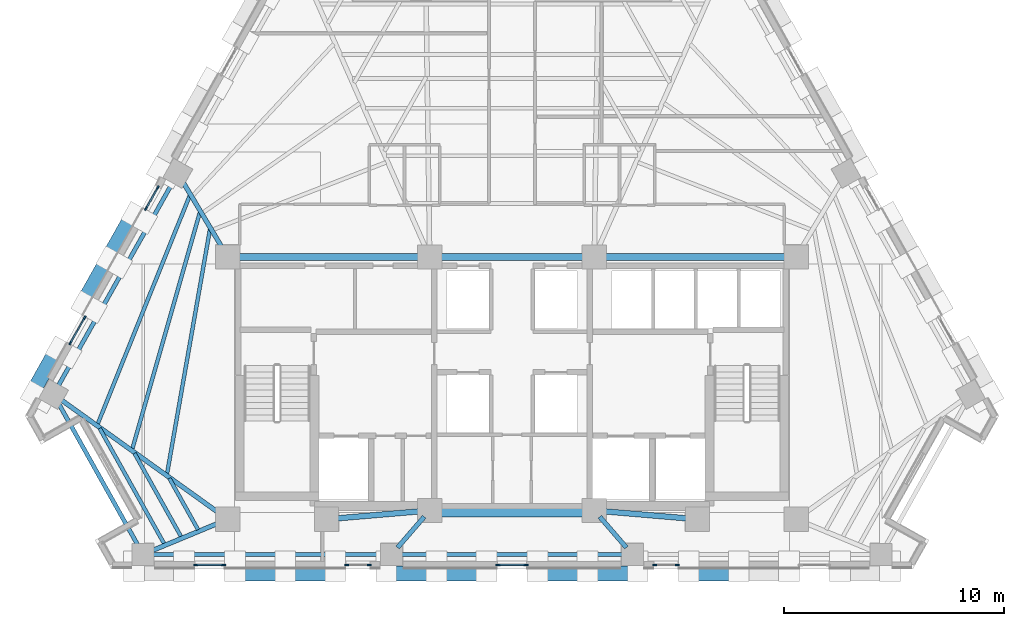
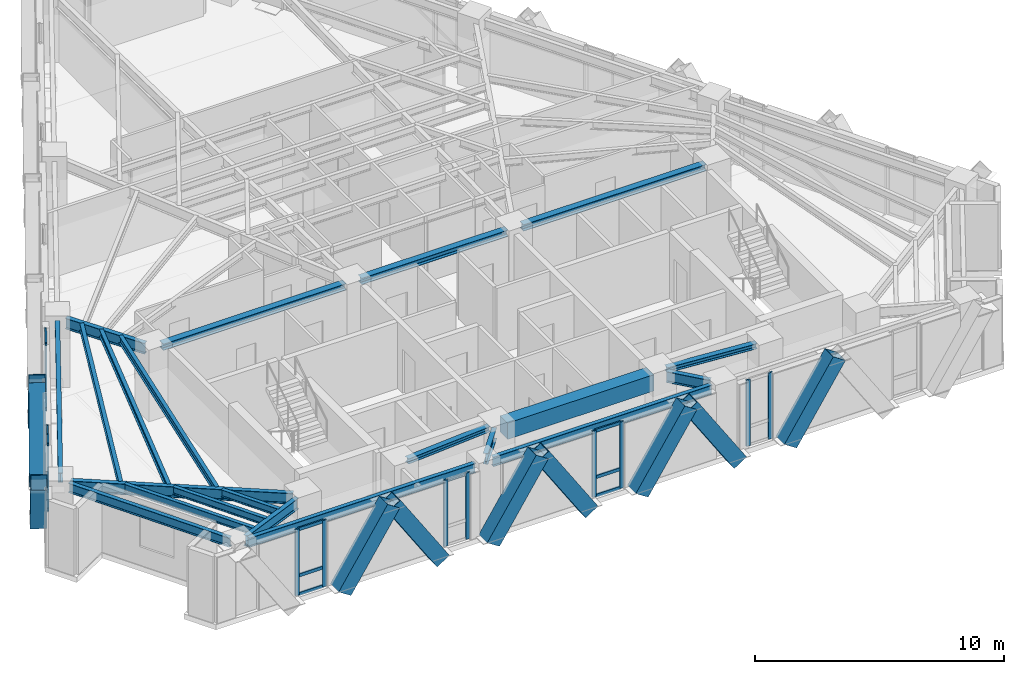
# One storey, part 2 of 14: 34 members, 21 beams, 6 elements without a shape of their own.
"""IFC4 building model written with IfcOpenShell, lengths in metres."""

import ifcopenshell
import ifcopenshell.guid

model = None  # the IFC model being written
_history = None  # IfcOwnerHistory: only IFC2X3 demands one
_inside = {}  # id of a spatial element -> (the spatial element, [elements in it])
_under = {}  # id of a project, library or spatial element -> (it, [spatial elements below it])
_declared = {}  # id of a project -> (the project, [libraries it declares])
_typed = {}  # id of a type object -> (the type object, [elements of that type])
_made_of = {}  # id of a material, layer set ... -> (it, [elements and type objects made of it])


def new_model(schema):
    """Start an empty IFC model of exactly this schema.

    Asked for "IFC4X3", IfcOpenShell would pick the latest addendum, in which some entities
    have other attributes; the version numbers below select the first issue.
    IFC2X3 requires an IfcOwnerHistory on every rooted entity: one is made here for all.
    """
    global model, _history
    if schema == "IFC4X3":
        model = ifcopenshell.file(schema_version=(4, 3, 0, 0))
    else:
        model = ifcopenshell.file(schema=schema)
    _inside.clear()
    _under.clear()
    _declared.clear()
    _typed.clear()
    _made_of.clear()
    _history = None
    if model.schema == "IFC2X3":
        org = make("IfcOrganization", Name="unknown")
        user = make(
            "IfcPersonAndOrganization",
            ThePerson=make("IfcPerson", FamilyName="unknown"),
            TheOrganization=org,
        )
        app = make(
            "IfcApplication",
            ApplicationDeveloper=org,
            Version="unknown",
            ApplicationFullName="unknown",
            ApplicationIdentifier="unknown",
        )
        _history = make(
            "IfcOwnerHistory",
            OwningUser=user,
            OwningApplication=app,
            ChangeAction="ADDED",
            CreationDate=0,
        )
    return model


def make(cls, **values):
    """One entity of the class cls with the attributes given. An attribute that is None is left unset."""
    return model.create_entity(
        cls, **{name: value for name, value in values.items() if value is not None}
    )


def rooted(cls, **values):
    """An entity with a GlobalId (a new one), such as an element, a storey or a relation."""
    return make(cls, GlobalId=ifcopenshell.guid.new(), OwnerHistory=_history, **values)


def si_unit(unit_type, name, prefix=None):
    """IfcSIUnit, for example si_unit("LENGTHUNIT", "METRE", prefix="MILLI")."""
    return make("IfcSIUnit", UnitType=unit_type, Prefix=prefix, Name=name)


def assignment(units):
    """IfcUnitAssignment: the units of a project."""
    return None if units is None else make("IfcUnitAssignment", Units=units)


def point(xyz):
    """IfcCartesianPoint."""
    return None if xyz is None else make("IfcCartesianPoint", Coordinates=xyz)


def direction(xyz):
    """IfcDirection."""
    return None if xyz is None else make("IfcDirection", DirectionRatios=xyz)


def frame(location, z_axis=None, x_axis=None):
    """IfcAxis2Placement3D, a coordinate frame: its origin and axes. An axis left out is left unset."""
    return make(
        "IfcAxis2Placement3D",
        Location=point(location),
        Axis=direction(z_axis),
        RefDirection=direction(x_axis),
    )


def frame_2d(location, x_axis=None):
    """IfcAxis2Placement2D, a coordinate frame in the plane: its origin and x axis."""
    return make(
        "IfcAxis2Placement2D", Location=point(location), RefDirection=direction(x_axis)
    )


def origin():
    """The frame at (0, 0, 0) with its axes left unset."""
    return frame((0.0, 0.0, 0.0))


def origin_2d():
    """The frame at (0, 0) in the plane with its x axis left unset."""
    return frame_2d((0.0, 0.0))


def place(relative_to, where):
    """IfcLocalPlacement: puts the frame where relative to a parent placement (None: the world)."""
    return make(
        "IfcLocalPlacement", PlacementRelTo=relative_to, RelativePlacement=where
    )


def context(
    kind, dimensions, precision=None, world=None, true_north=None, identifier=None
):
    """IfcGeometricRepresentationContext, for example the 3D "Model" context."""
    return make(
        "IfcGeometricRepresentationContext",
        ContextIdentifier=identifier,
        ContextType=kind,
        CoordinateSpaceDimension=dimensions,
        Precision=precision,
        WorldCoordinateSystem=world,
        TrueNorth=true_north,
    )


def subcontext(parent, identifier, kind, view, scale=None):
    """IfcGeometricRepresentationSubContext, for example "Body" below "Model"."""
    return make(
        "IfcGeometricRepresentationSubContext",
        ContextIdentifier=identifier,
        ContextType=kind,
        ParentContext=parent,
        TargetScale=scale,
        TargetView=view,
    )


def project(units=None, contexts=None):
    """IfcProject with its units and contexts."""
    return rooted(
        "IfcProject",
        Name="project",
        RepresentationContexts=contexts,
        UnitsInContext=assignment(units),
    )


def spatial(cls, under=None, at=None, **own):
    """A site, building, storey or space (cls), placed at a placement, below another one or the project."""
    s = rooted(cls, ObjectPlacement=at, **own)
    if under is not None:
        _under.setdefault(under.id(), (under, []))[1].append(s)
    return s


def profile(cls, at=None, kind="AREA", **sizes):
    """A parametric profile (cls). Its sizes go by their IFC names, for example OverallWidth=200.0."""
    return make(cls, ProfileType=kind, Position=at, **sizes)


def rectangle(**sizes):
    """IfcRectangleProfileDef."""
    return profile("IfcRectangleProfileDef", **sizes)


def hollow_rectangle(**sizes):
    """IfcRectangleHollowProfileDef."""
    return profile("IfcRectangleHollowProfileDef", **sizes)


def i_section(**sizes):
    """IfcIShapeProfileDef."""
    return profile("IfcIShapeProfileDef", **sizes)


def extrude(swept, where, along, depth):
    """IfcExtrudedAreaSolid: the profile swept, set in the frame where, extruded along a direction by depth."""
    return make(
        "IfcExtrudedAreaSolid",
        SweptArea=swept,
        Position=where,
        ExtrudedDirection=direction(along),
        Depth=depth,
    )


def shape(context_of_items, identifier, shape_type, items):
    """IfcShapeRepresentation: the items that make up one representation, for example the "Body"."""
    return make(
        "IfcShapeRepresentation",
        ContextOfItems=context_of_items,
        RepresentationIdentifier=identifier,
        RepresentationType=shape_type,
        Items=items,
    )


def material(Name=None, Category=None):
    """IfcMaterial."""
    return make("IfcMaterial", Name=Name, Category=Category)


def material_profile(
    of_material, cross_section, Name=None, Category=None, Priority=None
):
    """IfcMaterialProfile: a cross section and its material."""
    return make(
        "IfcMaterialProfile",
        Name=Name,
        Material=of_material,
        Profile=cross_section,
        Priority=Priority,
        Category=Category,
    )


def profile_set(profiles, Name=None, composite=None):
    """IfcMaterialProfileSet."""
    return make(
        "IfcMaterialProfileSet",
        Name=Name,
        MaterialProfiles=profiles,
        CompositeProfile=composite,
    )


def made_of(thing, what):
    """Note that an element or type object is made of a material, layer set ...; save() writes the relation."""
    if what is not None:
        _made_of.setdefault(what.id(), (what, []))[1].append(thing)
    return thing


def type_object(cls, material=None, **own):
    """A type object (cls), such as IfcWallType, which elements share."""
    return made_of(rooted(cls, **own), material)


def element(
    cls,
    number,
    at=None,
    inside=None,
    cuts=None,
    type_object=None,
    material=None,
    context=None,
    identifier="Body",
    shape_type=None,
    held_by="IfcProductDefinitionShape",
    body=None,
    shapes=None,
    **own,
):
    """One element of the class cls, such as IfcWall. Its Tag is "e" and its number.

    at: its placement. inside: the storey or other place that contains it. cuts: it is an
    opening in that element (IfcRelVoidsElement). A single representation is given by context,
    identifier, shape_type and body (its items); several are given by shapes. held_by: the class
    of the entity that holds the representations. save() writes the other relations.
    """
    e = rooted(cls, Tag="e%d" % number, ObjectPlacement=at, **own)
    if body is not None:
        shapes = [shape(context, identifier, shape_type, body)]
    if shapes is not None:
        e.Representation = make(held_by, Representations=shapes)
    if inside is not None:
        _inside.setdefault(inside.id(), (inside, []))[1].append(e)
    if cuts is not None:
        rooted(
            "IfcRelVoidsElement", RelatingBuildingElement=cuts, RelatedOpeningElement=e
        )
    if type_object is not None:
        _typed.setdefault(type_object.id(), (type_object, []))[1].append(e)
    return made_of(e, material)


def aggregate(whole, parts):
    """IfcRelAggregates: a whole, such as a stair, and the parts it consists of."""
    return rooted("IfcRelAggregates", RelatingObject=whole, RelatedObjects=parts)


def save(model, path):
    """Write the relations noted so far, then the file.

    IfcRelAggregates (storeys below a building ...), IfcRelContainedInSpatialStructure (elements
    in a storey), IfcRelDefinesByType, IfcRelAssociatesMaterial and IfcRelDeclares: one each for
    every whole, place, type object, material and project.
    """
    for whole, parts in _under.values():
        aggregate(whole, parts)
    for where, things in _inside.values():
        rooted(
            "IfcRelContainedInSpatialStructure",
            RelatedElements=things,
            RelatingStructure=where,
        )
    for kind, things in _typed.values():
        rooted("IfcRelDefinesByType", RelatedObjects=things, RelatingType=kind)
    for what, things in _made_of.values():
        rooted("IfcRelAssociatesMaterial", RelatedObjects=things, RelatingMaterial=what)
    for by, libraries in _declared.values():
        rooted("IfcRelDeclares", RelatingContext=by, RelatedDefinitions=libraries)
    model.write(path)


model = new_model("IFC4")

# Units and contexts
model_context = context("Model", 3, precision=1e-05, world=origin(), true_north=direction((0.0, 1.0)))
body_context = subcontext(model_context, "Body", "Model", "MODEL_VIEW")
ifc_project = project(units=[si_unit("LENGTHUNIT", "METRE"), si_unit("AREAUNIT", "SQUARE_METRE"), si_unit("VOLUMEUNIT", "CUBIC_METRE"), si_unit("PLANEANGLEUNIT", "RADIAN"), si_unit("MASSUNIT", "GRAM", prefix="KILO")], contexts=[model_context])

# Site, building, storey
site_placement = place(None, origin())
site = spatial("IfcSite", under=ifc_project, at=site_placement, CompositionType="ELEMENT")
building_placement = place(site_placement, origin())
building = spatial("IfcBuilding", under=site, at=building_placement, Name="Quenlor Broadcast Tower", CompositionType="ELEMENT")
storey_placement = place(building_placement, frame((0.0, 0.0, 168.5)))
storey = spatial("IfcBuildingStorey", under=building, at=storey_placement, Name="L46", CompositionType="ELEMENT", Elevation=168.5)

# Curtain wall, members
ifc_material_1 = material(Name="Architectural Terracotta and Low-E Glazing", Category="masonry")
curtain_wall_type = type_object("IfcCurtainWallType", Name="Unitised Terracotta Curtain Wall System Z3", PredefinedType="NOTDEFINED", material=ifc_material_1)
curtain_wall_1_placement = place(storey_placement, origin())
curtain_wall_1 = element("IfcCurtainWall", 1, at=curtain_wall_1_placement, inside=storey, type_object=curtain_wall_type, Name="L46 Curtain Wall CW3 (L46-SA-G2)", PredefinedType="NOTDEFINED")
ifc_material_2 = material(Name="Aluminium 6063-T6", Category="aluminium")
ifc_material_profile_1 = material_profile(ifc_material_2, rectangle(XDim=0.070068359375, YDim=0.18994140625, at=origin_2d()))
ifc_profile_set_1 = profile_set([ifc_material_profile_1], Name="Aluminium 6063-T6 MULL70x190")
member_type_1 = type_object("IfcMemberType", Name="CW3 Aluminium Mullion MULL_CW3", PredefinedType="MULLION", material=ifc_profile_set_1)
member_1_placement = place(storey_placement, frame((7.52197265625, -18.824951171875, 0.0), z_axis=(0.0, 0.0, 1.0), x_axis=(0.0, -1.0, 0.0)))
member_1 = element("IfcMember", 2, at=member_1_placement, type_object=member_type_1, Name="CW3 mullion 1", PredefinedType="MULLION", context=body_context, shape_type="SweptSolid", body=[
    extrude(rectangle(XDim=0.070068359375, YDim=0.18994140625, at=origin_2d()), origin(), (0.0, 0.0, 1.0), 3.25),
])
member_2_placement = place(storey_placement, frame((6.5009765625, -18.824951171875, 0.0), z_axis=(0.0, 0.0, 1.0), x_axis=(0.0, -1.0, 0.0)))
member_2 = element("IfcMember", 3, at=member_2_placement, type_object=member_type_1, Name="CW3 mullion 2", PredefinedType="MULLION", context=body_context, shape_type="SweptSolid", body=[
    extrude(rectangle(XDim=0.070068359375, YDim=0.18994140625, at=origin_2d()), origin(), (0.0, 0.0, 1.0), 3.25),
])
aggregate(curtain_wall_1, [member_1, member_2])

curtain_wall_2_placement = place(storey_placement, origin())
curtain_wall_2 = element("IfcCurtainWall", 4, at=curtain_wall_2_placement, inside=storey, type_object=curtain_wall_type, Name="L46 Curtain Wall CW3 (L46-SC-G1)", PredefinedType="NOTDEFINED")
member_3_placement = place(storey_placement, frame((-6.5009765625, -18.824951171875, 0.0), z_axis=(0.0, 0.0, 1.0), x_axis=(0.0, -1.0, 0.0)))
member_3 = element("IfcMember", 5, at=member_3_placement, type_object=member_type_1, Name="CW3 mullion 1", PredefinedType="MULLION", context=body_context, shape_type="SweptSolid", body=[
    extrude(rectangle(XDim=0.070068359375, YDim=0.18994140625, at=origin_2d()), origin(), (0.0, 0.0, 1.0), 3.25),
])
member_4_placement = place(storey_placement, frame((-7.52197265625, -18.824951171875, 0.0), z_axis=(0.0, 0.0, 1.0), x_axis=(0.0, -1.0, 0.0)))
member_4 = element("IfcMember", 6, at=member_4_placement, type_object=member_type_1, Name="CW3 mullion 2", PredefinedType="MULLION", context=body_context, shape_type="SweptSolid", body=[
    extrude(rectangle(XDim=0.070068359375, YDim=0.18994140625, at=origin_2d()), origin(), (0.0, 0.0, 1.0), 3.25),
])
aggregate(curtain_wall_2, [member_3, member_4])

curtain_wall_3_placement = place(storey_placement, origin())
curtain_wall_3 = element("IfcCurtainWall", 7, at=curtain_wall_3_placement, inside=storey, type_object=curtain_wall_type, Name="L46 Curtain Wall CW3 (L46-SC-G2)", PredefinedType="NOTDEFINED")
member_5_placement = place(storey_placement, frame((-13.14208984375, -18.824951171875, 0.0), z_axis=(0.0, 0.0, 1.0), x_axis=(0.0, -1.0, 0.0)))
member_5 = element("IfcMember", 8, at=member_5_placement, type_object=member_type_1, Name="CW3 mullion 1", PredefinedType="MULLION", context=body_context, shape_type="SweptSolid", body=[
    extrude(rectangle(XDim=0.070068359375, YDim=0.18994140625, at=origin_2d()), origin(), (0.0, 0.0, 1.0), 3.25),
])
member_6_placement = place(storey_placement, frame((-14.409912109375, -18.824951171875, 0.0), z_axis=(0.0, 0.0, 1.0), x_axis=(0.0, -1.0, 0.0)))
member_6 = element("IfcMember", 9, at=member_6_placement, type_object=member_type_1, Name="CW3 mullion 2", PredefinedType="MULLION", context=body_context, shape_type="SweptSolid", body=[
    extrude(rectangle(XDim=0.070068359375, YDim=0.18994140625, at=origin_2d()), origin(), (0.0, 0.0, 1.0), 3.25),
])

curtain_wall_4_placement = place(storey_placement, origin())
curtain_wall_4 = element("IfcCurtainWall", 10, at=curtain_wall_4_placement, inside=storey, type_object=curtain_wall_type, Name="L46 Curtain Wall CW3 (L46-S-G1)", PredefinedType="NOTDEFINED")
member_7_placement = place(storey_placement, frame((0.634033203125, -18.824951171875, 0.0), z_axis=(0.0, 0.0, 1.0), x_axis=(0.0, -1.0, 0.0)))
member_7 = element("IfcMember", 11, at=member_7_placement, type_object=member_type_1, Name="CW3 mullion 1", PredefinedType="MULLION", context=body_context, shape_type="SweptSolid", body=[
    extrude(rectangle(XDim=0.070068359375, YDim=0.18994140625, at=origin_2d()), origin(), (0.0, 0.0, 1.0), 3.25),
])
member_8_placement = place(storey_placement, frame((-0.634033203125, -18.824951171875, 0.0), z_axis=(0.0, 0.0, 1.0), x_axis=(0.0, -1.0, 0.0)))
member_8 = element("IfcMember", 12, at=member_8_placement, type_object=member_type_1, Name="CW3 mullion 2", PredefinedType="MULLION", context=body_context, shape_type="SweptSolid", body=[
    extrude(rectangle(XDim=0.070068359375, YDim=0.18994140625, at=origin_2d()), origin(), (0.0, 0.0, 1.0), 3.25),
])

curtain_wall_5_placement = place(storey_placement, origin())
curtain_wall_5 = element("IfcCurtainWall", 13, at=curtain_wall_5_placement, inside=storey, type_object=curtain_wall_type, Name="L46 Curtain Wall CW3 (L46-NWA-G1)", PredefinedType="NOTDEFINED")
member_9_placement = place(storey_placement, frame((-20.1171875, -8.720703125, 0.0), z_axis=(0.0, 0.0, 1.0), x_axis=(-0.871575537123, 0.490261239636, 0.0)))
member_9 = element("IfcMember", 14, at=member_9_placement, type_object=member_type_1, Name="CW3 mullion 1", PredefinedType="MULLION", context=body_context, shape_type="SweptSolid", body=[
    extrude(rectangle(XDim=0.070068359375, YDim=0.18994140625, at=origin_2d()), origin(), (0.0, 0.0, 1.0), 3.25),
])
member_10_placement = place(storey_placement, frame((-19.47021484375, -7.570556640625, 0.0), z_axis=(0.0, 0.0, 1.0), x_axis=(-0.871575537123, 0.490261239636, 0.0)))
member_10 = element("IfcMember", 15, at=member_10_placement, type_object=member_type_1, Name="CW3 mullion 2", PredefinedType="MULLION", context=body_context, shape_type="SweptSolid", body=[
    extrude(rectangle(XDim=0.070068359375, YDim=0.18994140625, at=origin_2d()), origin(), (0.0, 0.0, 1.0), 3.25),
])

curtain_wall_6_placement = place(storey_placement, origin())
curtain_wall_6 = element("IfcCurtainWall", 16, at=curtain_wall_6_placement, inside=storey, type_object=curtain_wall_type, Name="L46 Curtain Wall CW3 (L46-NWA-G2)", PredefinedType="NOTDEFINED")
member_11_placement = place(storey_placement, frame((-16.6689453125, -2.5908203125, 0.0), z_axis=(0.0, 0.0, 1.0), x_axis=(-0.871580169247, 0.490253004657, 0.0)))
member_11 = element("IfcMember", 17, at=member_11_placement, type_object=member_type_1, Name="CW3 mullion 1", PredefinedType="MULLION", context=body_context, shape_type="SweptSolid", body=[
    extrude(rectangle(XDim=0.070068359375, YDim=0.18994140625, at=origin_2d()), origin(), (0.0, 0.0, 1.0), 3.25),
])
member_12_placement = place(storey_placement, frame((-16.137939453125, -1.646728515625, 0.0), z_axis=(0.0, 0.0, 1.0), x_axis=(-0.871580169247, 0.490253004657, 0.0)))
member_12 = element("IfcMember", 18, at=member_12_placement, type_object=member_type_1, Name="CW3 mullion 2", PredefinedType="MULLION", context=body_context, shape_type="SweptSolid", body=[
    extrude(rectangle(XDim=0.070068359375, YDim=0.18994140625, at=origin_2d()), origin(), (0.0, 0.0, 1.0), 3.25),
])

# Member
ifc_material_3 = material(Name="Aluminium 6063-T6", Category="aluminium")
ifc_material_profile_2 = material_profile(ifc_material_3, rectangle(XDim=0.070068359375, YDim=0.155029296875, at=origin_2d()))
ifc_profile_set_2 = profile_set([ifc_material_profile_2], Name="Aluminium 6063-T6 TRAN70x155")
member_type_2 = type_object("IfcMemberType", Name="CW3 Aluminium Transom TRAN_CW3", PredefinedType="USERDEFINED", material=ifc_profile_set_2)
member_13_placement = place(storey_placement, frame((-13.177001953125, -18.824951171875, 0.034912109375), z_axis=(-1.0, 0.0, 0.0), x_axis=(0.0, -1.0, 0.0)))
member_13 = element("IfcMember", 19, at=member_13_placement, type_object=member_type_2, Name="CW3 transom 1.1", ObjectType="TRANSOM", PredefinedType="USERDEFINED", context=body_context, shape_type="SweptSolid", body=[
    extrude(rectangle(XDim=0.070068359375, YDim=0.155029296875, at=origin_2d()), origin(), (0.0, 0.0, 1.0), 1.197998046875),
])

member_14_placement = place(storey_placement, frame((-13.177001953125, -18.824951171875, 0.949951171875), z_axis=(-1.0, 0.0, 0.0), x_axis=(0.0, -1.0, 0.0)))
member_14 = element("IfcMember", 20, at=member_14_placement, type_object=member_type_2, Name="CW3 transom 1.2", ObjectType="TRANSOM", PredefinedType="USERDEFINED", context=body_context, shape_type="SweptSolid", body=[
    extrude(rectangle(XDim=0.070068359375, YDim=0.155029296875, at=origin_2d()), origin(), (0.0, 0.0, 1.0), 1.197998046875),
])

member_15_placement = place(storey_placement, frame((-13.177001953125, -18.824951171875, 3.215087890625), z_axis=(-1.0, 0.0, 0.0), x_axis=(0.0, -1.0, 0.0)))
member_15 = element("IfcMember", 21, at=member_15_placement, type_object=member_type_2, Name="CW3 transom 1.3", ObjectType="TRANSOM", PredefinedType="USERDEFINED", context=body_context, shape_type="SweptSolid", body=[
    extrude(rectangle(XDim=0.070068359375, YDim=0.155029296875, at=origin_2d()), origin(), (0.0, 0.0, 1.0), 1.197998046875),
])

aggregate(curtain_wall_3, [member_5, member_6, member_13, member_14, member_15])

member_16_placement = place(storey_placement, frame((0.59912109375, -18.824951171875, 0.034912109375), z_axis=(-1.0, 0.0, 0.0), x_axis=(0.0, -1.0, 0.0)))
member_16 = element("IfcMember", 22, at=member_16_placement, type_object=member_type_2, Name="CW3 transom 1.1", ObjectType="TRANSOM", PredefinedType="USERDEFINED", context=body_context, shape_type="SweptSolid", body=[
    extrude(rectangle(XDim=0.070068359375, YDim=0.155029296875, at=origin_2d()), origin(), (0.0, 0.0, 1.0), 1.1982421875),
])

member_17_placement = place(storey_placement, frame((0.59912109375, -18.824951171875, 0.949951171875), z_axis=(-1.0, 0.0, 0.0), x_axis=(0.0, -1.0, 0.0)))
member_17 = element("IfcMember", 23, at=member_17_placement, type_object=member_type_2, Name="CW3 transom 1.2", ObjectType="TRANSOM", PredefinedType="USERDEFINED", context=body_context, shape_type="SweptSolid", body=[
    extrude(rectangle(XDim=0.070068359375, YDim=0.155029296875, at=origin_2d()), origin(), (0.0, 0.0, 1.0), 1.1982421875),
])

member_18_placement = place(storey_placement, frame((0.59912109375, -18.824951171875, 3.215087890625), z_axis=(-1.0, 0.0, 0.0), x_axis=(0.0, -1.0, 0.0)))
member_18 = element("IfcMember", 24, at=member_18_placement, type_object=member_type_2, Name="CW3 transom 1.3", ObjectType="TRANSOM", PredefinedType="USERDEFINED", context=body_context, shape_type="SweptSolid", body=[
    extrude(rectangle(XDim=0.070068359375, YDim=0.155029296875, at=origin_2d()), origin(), (0.0, 0.0, 1.0), 1.1982421875),
])

aggregate(curtain_wall_4, [member_7, member_8, member_16, member_17, member_18])

member_19_placement = place(storey_placement, frame((-20.10009765625, -8.690185546875, 0.034912109375), z_axis=(0.490363266059, 0.871518139398, 0.0), x_axis=(-0.871518139398, 0.490363266059, 0.0)))
member_19 = element("IfcMember", 25, at=member_19_placement, type_object=member_type_2, Name="CW3 transom 1.1", ObjectType="TRANSOM", PredefinedType="USERDEFINED", context=body_context, shape_type="SweptSolid", body=[
    extrude(rectangle(XDim=0.070068359375, YDim=0.155029296875, at=origin_2d()), origin(), (0.0, 0.0, 1.0), 1.249755859375),
])

member_20_placement = place(storey_placement, frame((-20.10009765625, -8.690185546875, 0.949951171875), z_axis=(0.490363266059, 0.871518139398, 0.0), x_axis=(-0.871518139398, 0.490363266059, 0.0)))
member_20 = element("IfcMember", 26, at=member_20_placement, type_object=member_type_2, Name="CW3 transom 1.2", ObjectType="TRANSOM", PredefinedType="USERDEFINED", context=body_context, shape_type="SweptSolid", body=[
    extrude(rectangle(XDim=0.070068359375, YDim=0.155029296875, at=origin_2d()), origin(), (0.0, 0.0, 1.0), 1.249755859375),
])

member_21_placement = place(storey_placement, frame((-20.10009765625, -8.690185546875, 3.215087890625), z_axis=(0.490363266059, 0.871518139398, 0.0), x_axis=(-0.871518139398, 0.490363266059, 0.0)))
member_21 = element("IfcMember", 27, at=member_21_placement, type_object=member_type_2, Name="CW3 transom 1.3", ObjectType="TRANSOM", PredefinedType="USERDEFINED", context=body_context, shape_type="SweptSolid", body=[
    extrude(rectangle(XDim=0.070068359375, YDim=0.155029296875, at=origin_2d()), origin(), (0.0, 0.0, 1.0), 1.249755859375),
])

aggregate(curtain_wall_5, [member_9, member_10, member_19, member_20, member_21])

member_22_placement = place(storey_placement, frame((-16.65185546875, -2.560302734375, 0.034912109375), z_axis=(0.49015826449, 0.871633452635, 0.0), x_axis=(-0.871633452635, 0.49015826449, 0.0)))
member_22 = element("IfcMember", 28, at=member_22_placement, type_object=member_type_2, Name="CW3 transom 1.1", ObjectType="TRANSOM", PredefinedType="USERDEFINED", context=body_context, shape_type="SweptSolid", body=[
    extrude(rectangle(XDim=0.070068359375, YDim=0.155029296875, at=origin_2d()), origin(), (0.0, 0.0, 1.0), 1.01318359375),
])

member_23_placement = place(storey_placement, frame((-16.65185546875, -2.560302734375, 0.949951171875), z_axis=(0.49015826449, 0.871633452635, 0.0), x_axis=(-0.871633452635, 0.49015826449, 0.0)))
member_23 = element("IfcMember", 29, at=member_23_placement, type_object=member_type_2, Name="CW3 transom 1.2", ObjectType="TRANSOM", PredefinedType="USERDEFINED", context=body_context, shape_type="SweptSolid", body=[
    extrude(rectangle(XDim=0.070068359375, YDim=0.155029296875, at=origin_2d()), origin(), (0.0, 0.0, 1.0), 1.01318359375),
])

member_24_placement = place(storey_placement, frame((-16.65185546875, -2.560302734375, 3.215087890625), z_axis=(0.49015826449, 0.871633452635, 0.0), x_axis=(-0.871633452635, 0.49015826449, 0.0)))
member_24 = element("IfcMember", 30, at=member_24_placement, type_object=member_type_2, Name="CW3 transom 1.3", ObjectType="TRANSOM", PredefinedType="USERDEFINED", context=body_context, shape_type="SweptSolid", body=[
    extrude(rectangle(XDim=0.070068359375, YDim=0.155029296875, at=origin_2d()), origin(), (0.0, 0.0, 1.0), 1.01318359375),
])

aggregate(curtain_wall_6, [member_11, member_12, member_22, member_23, member_24])

# Beams
ifc_material_4 = material(Name="Concrete C50/60", Category="concrete")
ifc_material_profile_3 = material_profile(ifc_material_4, rectangle(XDim=0.60009765625, YDim=0.800048828125, at=origin_2d()))
ifc_profile_set_3 = profile_set([ifc_material_profile_3], Name="Concrete C50/60 RCB600x800")
beam_type_1 = type_object("IfcBeamType", Name="Core Coupling Beam Concrete C50/60 600x800", PredefinedType="BEAM", material=ifc_profile_set_3)
beam_1_placement = place(storey_placement, frame((-3.389892578125, -16.35009765625, 2.85009765625), z_axis=(1.0, 0.0, 0.0), x_axis=(0.0, 1.0, 0.0)))
element("IfcBeam", 31, at=beam_1_placement, inside=storey, type_object=beam_type_1, Name="L46 Core Coupling Beam 6", PredefinedType="BEAM", context=body_context, shape_type="SweptSolid", body=[
    extrude(rectangle(XDim=0.60009765625, YDim=0.800048828125, at=origin_2d()), origin(), (0.0, 0.0, 1.0), 6.77978515625),
])
ifc_material_5 = material(Name="Steel S355", Category="steel")
ifc_material_profile_4 = material_profile(ifc_material_5, i_section(OverallWidth=0.304931640625, OverallDepth=0.30810546875, WebThickness=0.010009765625, FlangeThickness=0.015380859375, FilletRadius=0.0166015625, at=origin_2d()))
ifc_profile_set_4 = profile_set([ifc_material_profile_4], Name="Steel S355 310UC96.8")
beam_type_2 = type_object("IfcBeamType", Name="Core Header Beam Steel S355 310UC96.8", PredefinedType="BEAM", material=ifc_profile_set_4)
beam_2_placement = place(storey_placement, frame((-3.389892578125, -4.800048828125, 3.095947265625), z_axis=(1.0, 0.0, 0.0), x_axis=(0.0, 1.0, 0.0)))
element("IfcBeam", 32, at=beam_2_placement, inside=storey, type_object=beam_type_2, Name="L46 Core Header Beam 2", PredefinedType="BEAM", context=body_context, shape_type="SweptSolid", body=[
    extrude(i_section(OverallWidth=0.304931640625, OverallDepth=0.30810546875, WebThickness=0.010009765625, FlangeThickness=0.015380859375, FilletRadius=0.0166015625, at=origin_2d()), origin(), (0.0, 0.0, 1.0), 6.77978515625),
])
ifc_material_6 = material(Name="Steel S355", Category="steel")
ifc_material_profile_5 = material_profile(ifc_material_6, i_section(OverallWidth=0.25390625, OverallDepth=0.25390625, WebThickness=0.008544921875, FlangeThickness=0.01416015625, FilletRadius=0.013916015625, at=origin_2d()))
ifc_profile_set_5 = profile_set([ifc_material_profile_5], Name="Steel S355 250UC72.9")
beam_type_3 = type_object("IfcBeamType", Name="Core Opening Lintel Beam Steel S355 250UC72.9", PredefinedType="LINTEL", material=ifc_profile_set_5)
for number, where, z_axis, x_axis, name in (
    (33, (-8.09130859375, -16.719482421875, 3.123046875), (0.996399763903, 0.084779186679, 0.0), (-0.084779186679, 0.996399763903, 0.0), "L46 Core Opening Lintel Beam 4"),
    (34, (4.108642578125, -16.380615234375, 3.123046875), (0.996399763903, -0.084779186679, 0.0), (0.084779186679, 0.996399763903, 0.0), "L46 Core Opening Lintel Beam 5"),
):
    element("IfcBeam", number, at=place(storey_placement, frame(where, z_axis=z_axis, x_axis=x_axis)), inside=storey, type_object=beam_type_3, Name=name, PredefinedType="LINTEL", context=body_context, shape_type="SweptSolid", body=[
        extrude(i_section(OverallWidth=0.25390625, OverallDepth=0.25390625, WebThickness=0.008544921875, FlangeThickness=0.01416015625, FilletRadius=0.013916015625, at=origin_2d()), origin(), (0.0, 0.0, 1.0), 3.9970703125),
    ])
ifc_material_7 = material(Name="Steel S355", Category="steel")
ifc_material_profile_6 = material_profile(ifc_material_7, i_section(OverallWidth=0.306884765625, OverallDepth=0.314697265625, WebThickness=0.011962890625, FlangeThickness=0.018798828125, FilletRadius=0.0166015625, at=origin_2d()))
ifc_profile_set_6 = profile_set([ifc_material_profile_6], Name="Steel S355 310UC118")
beam_type_4 = type_object("IfcBeamType", Name="Core Tie Beam Steel S355 310UC118", PredefinedType="BEAM", material=ifc_profile_set_6)
for number, where, z_axis, x_axis, name in (
    (35, (-12.590087890625, -4.800048828125, 3.0927734375), (1.0, 0.0, 0.0), (0.0, 1.0, 0.0), "L46 Core Tie Beam 1"),
    (36, (4.110107421875, -4.800048828125, 3.0927734375), (1.0, 0.0, 0.0), (0.0, 1.0, 0.0), "L46 Core Tie Beam 3"),
):
    element("IfcBeam", number, at=place(storey_placement, frame(where, z_axis=z_axis, x_axis=x_axis)), inside=storey, type_object=beam_type_4, Name=name, PredefinedType="BEAM", context=body_context, shape_type="SweptSolid", body=[
        extrude(i_section(OverallWidth=0.306884765625, OverallDepth=0.314697265625, WebThickness=0.011962890625, FlangeThickness=0.018798828125, FilletRadius=0.0166015625, at=origin_2d()), origin(), (0.0, 0.0, 1.0), 8.47998046875),
    ])

# Members
ifc_material_8 = material(Name="Steel S355", Category="steel")
ifc_material_profile_7 = material_profile(ifc_material_8, hollow_rectangle(XDim=0.679931640625, YDim=0.679931640625, WallThickness=0.02490234375, at=origin_2d()))
ifc_profile_set_7 = profile_set([ifc_material_profile_7], Name="Steel S355 RHS680x680x25")
member_type_3 = type_object("IfcMemberType", Name="Perimeter Diagonal Lattice Brace Z3-Z4 Steel S355 RHS680x25", PredefinedType="BRACE", material=ifc_profile_set_7)
member_25_placement = place(storey_placement, frame((5.726318359375, -19.219970703125, -0.1201171875), z_axis=(-0.543901560697, 0.0, 0.839149028643), x_axis=(0.0, -1.0, 0.0)))
element("IfcMember", 37, at=member_25_placement, inside=storey, type_object=member_type_3, Name="L46 Perimeter Diamond Lattice S-C2S", PredefinedType="BRACE", context=body_context, shape_type="SweptSolid", body=[
    extrude(hollow_rectangle(XDim=0.679931640625, YDim=0.679931640625, WallThickness=0.02490234375, at=origin_2d()), origin(), (0.0, 0.0, 1.0), 4.1708984375),
])
for number, where, z_axis, x_axis, name in (
    (38, (8.0498046875, -19.219970703125, -0.1201171875), (0.543860340502, 0.0, 0.839175744424), (0.0, 1.0, 0.0), "L46 Perimeter Diamond Lattice S-C2B"),
    (39, (-1.161865234375, -19.219970703125, -0.1201171875), (-0.543860340502, 0.0, 0.839175744424), (0.0, -1.0, 0.0), "L46 Perimeter Diamond Lattice S-C3S"),
    (40, (1.161865234375, -19.219970703125, -0.1201171875), (0.543860340502, 0.0, 0.839175744424), (0.0, 1.0, 0.0), "L46 Perimeter Diamond Lattice S-C3B"),
    (41, (-8.0498046875, -19.219970703125, -0.1201171875), (-0.543860340502, 0.0, 0.839175744424), (0.0, -1.0, 0.0), "L46 Perimeter Diamond Lattice S-C4S"),
):
    element("IfcMember", number, at=place(storey_placement, frame(where, z_axis=z_axis, x_axis=x_axis)), inside=storey, type_object=member_type_3, Name=name, PredefinedType="BRACE", context=body_context, shape_type="SweptSolid", body=[
        extrude(hollow_rectangle(XDim=0.679931640625, YDim=0.679931640625, WallThickness=0.02490234375, at=origin_2d()), origin(), (0.0, 0.0, 1.0), 4.170654296875),
    ])
for number, where, z_axis, x_axis, name in (
    (42, (-5.726318359375, -19.219970703125, -0.1201171875), (0.543901560697, 0.0, 0.839149028643), (0.0, 1.0, 0.0), "L46 Perimeter Diamond Lattice S-C4B"),
    (43, (-12.6142578125, -19.219970703125, -0.1201171875), (0.543901560697, 0.0, 0.839149028643), (0.0, 1.0, 0.0), "L46 Perimeter Diamond Lattice S-C5B"),
):
    element("IfcMember", number, at=place(storey_placement, frame(where, z_axis=z_axis, x_axis=x_axis)), inside=storey, type_object=member_type_3, Name=name, PredefinedType="BRACE", context=body_context, shape_type="SweptSolid", body=[
        extrude(hollow_rectangle(XDim=0.679931640625, YDim=0.679931640625, WallThickness=0.02490234375, at=origin_2d()), origin(), (0.0, 0.0, 1.0), 4.1708984375),
    ])
for number, where, z_axis, x_axis, name in (
    (44, (-19.556396484375, -6.918212890625, -0.1201171875), (0.2705491942, 0.481008661973, 0.833926735766), (-0.871589611547, 0.490236217596, 0.0), "L46 Perimeter Diamond Lattice NW-C1S"),
    (45, (-20.719482421875, -8.98583984375, -0.1201171875), (-0.2705491942, -0.481008661973, 0.833926735766), (0.871589611547, -0.490236217596, 0.0), "L46 Perimeter Diamond Lattice NW-C1B"),
    (46, (-17.271484375, -2.85595703125, -0.1201171875), (-0.2705491942, -0.481008661973, 0.833926735766), (0.871589611547, -0.490236217596, 0.0), "L46 Perimeter Diamond Lattice NW-C2B"),
):
    element("IfcMember", number, at=place(storey_placement, frame(where, z_axis=z_axis, x_axis=x_axis)), inside=storey, type_object=member_type_3, Name=name, PredefinedType="BRACE", context=body_context, shape_type="SweptSolid", body=[
        extrude(hollow_rectangle(XDim=0.679931640625, YDim=0.679931640625, WallThickness=0.02490234375, at=origin_2d()), origin(), (0.0, 0.0, 1.0), 4.197021484375),
    ])

# Beams
ifc_material_9 = material(Name="Steel S355", Category="steel")
ifc_material_profile_8 = material_profile(ifc_material_9, i_section(OverallWidth=0.19091796875, OverallDepth=0.46044921875, WebThickness=0.010009765625, FlangeThickness=0.01611328125, FilletRadius=0.011474609375, at=origin_2d()))
ifc_profile_set_8 = profile_set([ifc_material_profile_8], Name="Steel S355 460UB82.1")
beam_type_5 = type_object("IfcBeamType", Name="Perimeter Spandrel Beam Z3 Steel S355 460UB82.1", PredefinedType="SPANDREL", material=ifc_profile_set_8)
beam_3_placement = place(storey_placement, frame((-16.3984375, -18.35009765625, 3.019775390625), z_axis=(1.0, 0.0, 0.0), x_axis=(0.0, 1.0, 0.0)))
element("IfcBeam", 47, at=beam_3_placement, inside=storey, type_object=beam_type_5, Name="L46 Spandrel Beam S1-S2", PredefinedType="SPANDREL", context=body_context, shape_type="SweptSolid", body=[
    extrude(i_section(OverallWidth=0.19091796875, OverallDepth=0.46044921875, WebThickness=0.010009765625, FlangeThickness=0.01611328125, FilletRadius=0.011474609375, at=origin_2d()), origin(), (0.0, 0.0, 1.0), 10.50732421875),
])
beam_4_placement = place(storey_placement, frame((-5.071044921875, -18.35009765625, 3.019775390625), z_axis=(1.0, 0.0, 0.0), x_axis=(0.0, 1.0, 0.0)))
element("IfcBeam", 48, at=beam_4_placement, inside=storey, type_object=beam_type_5, Name="L46 Spandrel Beam S2-S3", PredefinedType="SPANDREL", context=body_context, shape_type="SweptSolid", body=[
    extrude(i_section(OverallWidth=0.19091796875, OverallDepth=0.46044921875, WebThickness=0.010009765625, FlangeThickness=0.01611328125, FilletRadius=0.011474609375, at=origin_2d()), origin(), (0.0, 0.0, 1.0), 10.14208984375),
])
beam_5_placement = place(storey_placement, frame((-15.425048828125, -1.347900390625, 3.019775390625), z_axis=(-0.490257999604, -0.871577359633, 0.0), x_axis=(0.871577359633, -0.490257999604, 0.0)))
element("IfcBeam", 49, at=beam_5_placement, inside=storey, type_object=beam_type_5, Name="L46 Spandrel Beam NW3-NW4", PredefinedType="SPANDREL", context=body_context, shape_type="SweptSolid", body=[
    extrude(i_section(OverallWidth=0.19091796875, OverallDepth=0.46044921875, WebThickness=0.010009765625, FlangeThickness=0.01611328125, FilletRadius=0.011474609375, at=origin_2d()), origin(), (0.0, 0.0, 1.0), 10.732666015625),
])
beam_6_placement = place(storey_placement, frame((-20.6875, -11.417236328125, 3.019775390625), z_axis=(0.488298439934, -0.872676706208, 0.0), x_axis=(0.872676706208, 0.488298439934, 0.0)))
element("IfcBeam", 50, at=beam_6_placement, inside=storey, type_object=beam_type_5, Name="L46 Spandrel Beam NW4-S1", PredefinedType="SPANDREL", context=body_context, shape_type="SweptSolid", body=[
    extrude(i_section(OverallWidth=0.19091796875, OverallDepth=0.46044921875, WebThickness=0.010009765625, FlangeThickness=0.01611328125, FilletRadius=0.011474609375, at=origin_2d()), origin(), (0.0, 0.0, 1.0), 7.5341796875),
])
ifc_material_10 = material(Name="Steel S355", Category="steel")
ifc_material_profile_9 = material_profile(ifc_material_10, i_section(OverallWidth=0.172119140625, OverallDepth=0.358642578125, WebThickness=0.008056640625, FlangeThickness=0.012939453125, FilletRadius=0.011474609375, at=origin_2d()))
ifc_profile_set_9 = profile_set([ifc_material_profile_9], Name="Steel S355 360UB56.7")
beam_type_6 = type_object("IfcBeamType", Name="Tower Composite Joist Z2-Z3 Steel S355 360UB56.7", PredefinedType="JOIST", material=ifc_profile_set_9)
beam_7_placement = place(storey_placement, frame((-15.71435546875, -14.679443359375, 3.07080078125), z_axis=(0.172906811417, 0.984938188195, 0.0), x_axis=(-0.984938188195, 0.172906811417, 0.0)))
element("IfcBeam", 51, at=beam_7_placement, inside=storey, type_object=beam_type_6, Name="L46 Secondary Composite Joist 13", PredefinedType="JOIST", context=body_context, shape_type="SweptSolid", body=[
    extrude(i_section(OverallWidth=0.172119140625, OverallDepth=0.358642578125, WebThickness=0.008056640625, FlangeThickness=0.012939453125, FilletRadius=0.011474609375, at=origin_2d()), origin(), (0.0, 0.0, 1.0), 11.30419921875),
])
beam_8_placement = place(storey_placement, frame((-17.293701171875, -13.543212890625, 3.07080078125), z_axis=(0.274418577045, 0.961610339261, 0.0), x_axis=(-0.961610339261, 0.274418577045, 0.0)))
element("IfcBeam", 52, at=beam_8_placement, inside=storey, type_object=beam_type_6, Name="L46 Secondary Composite Joist 14", PredefinedType="JOIST", context=body_context, shape_type="SweptSolid", body=[
    extrude(i_section(OverallWidth=0.172119140625, OverallDepth=0.358642578125, WebThickness=0.008056640625, FlangeThickness=0.012939453125, FilletRadius=0.011474609375, at=origin_2d()), origin(), (0.0, 0.0, 1.0), 11.191162109375),
])
beam_9_placement = place(storey_placement, frame((-18.873291015625, -12.407958984375, 3.07080078125), z_axis=(0.373824118901, 0.927499610851, 0.0), x_axis=(-0.927499610851, 0.373824118901, 0.0)))
element("IfcBeam", 53, at=beam_9_placement, inside=storey, type_object=beam_type_6, Name="L46 Secondary Composite Joist 15", PredefinedType="JOIST", context=body_context, shape_type="SweptSolid", body=[
    extrude(i_section(OverallWidth=0.172119140625, OverallDepth=0.358642578125, WebThickness=0.008056640625, FlangeThickness=0.012939453125, FilletRadius=0.011474609375, at=origin_2d()), origin(), (0.0, 0.0, 1.0), 11.203125),
])
beam_10_placement = place(storey_placement, frame((-14.30078125, -17.22412109375, 3.07080078125), z_axis=(-0.488370382241, 0.87263644764, 0.0), x_axis=(-0.87263644764, -0.488370382241, 0.0)))
element("IfcBeam", 54, at=beam_10_placement, inside=storey, type_object=beam_type_6, Name="L46 Secondary Composite Joist 19", PredefinedType="JOIST", context=body_context, shape_type="SweptSolid", body=[
    extrude(i_section(OverallWidth=0.172119140625, OverallDepth=0.358642578125, WebThickness=0.008056640625, FlangeThickness=0.012939453125, FilletRadius=0.011474609375, at=origin_2d()), origin(), (0.0, 0.0, 1.0), 2.680419921875),
])
beam_11_placement = place(storey_placement, frame((-15.072509765625, -17.544189453125, 3.07080078125), z_axis=(-0.488294103756, 0.872679132463, 0.0), x_axis=(-0.872679132463, -0.488294103756, 0.0)))
element("IfcBeam", 55, at=beam_11_placement, inside=storey, type_object=beam_type_6, Name="L46 Secondary Composite Joist 20", PredefinedType="JOIST", context=body_context, shape_type="SweptSolid", body=[
    extrude(i_section(OverallWidth=0.172119140625, OverallDepth=0.358642578125, WebThickness=0.008056640625, FlangeThickness=0.012939453125, FilletRadius=0.011474609375, at=origin_2d()), origin(), (0.0, 0.0, 1.0), 4.351318359375),
])
beam_12_placement = place(storey_placement, frame((-15.84423828125, -17.8642578125, 3.07080078125), z_axis=(-0.488308300212, 0.872671188905, 0.0), x_axis=(-0.872671188905, -0.488308300212, 0.0)))
element("IfcBeam", 56, at=beam_12_placement, inside=storey, type_object=beam_type_6, Name="L46 Secondary Composite Joist 21", PredefinedType="JOIST", context=body_context, shape_type="SweptSolid", body=[
    extrude(i_section(OverallWidth=0.172119140625, OverallDepth=0.358642578125, WebThickness=0.008056640625, FlangeThickness=0.012939453125, FilletRadius=0.011474609375, at=origin_2d()), origin(), (0.0, 0.0, 1.0), 6.022216796875),
])
ifc_material_11 = material(Name="Steel S355", Category="steel")
ifc_material_profile_10 = material_profile(ifc_material_11, i_section(OverallWidth=0.208984375, OverallDepth=0.532958984375, WebThickness=0.01025390625, FlangeThickness=0.015625, FilletRadius=0.013916015625, at=origin_2d()))
ifc_profile_set_10 = profile_set([ifc_material_profile_10], Name="Steel S355 530UB92.4")
beam_type_7 = type_object("IfcBeamType", Name="Tower Primary Floor Beam Z3 Steel S355 530UB92.4", PredefinedType="BEAM", material=ifc_profile_set_10)
beam_13_placement = place(storey_placement, frame((-16.4296875, -18.19287109375, 2.9833984375), z_axis=(0.923730294618, 0.383043525993, 0.0), x_axis=(-0.383043525993, 0.923730294618, 0.0)))
element("IfcBeam", 57, at=beam_13_placement, inside=storey, type_object=beam_type_7, Name="L46 Primary Radial Beam S1", PredefinedType="BEAM", context=body_context, shape_type="SweptSolid", body=[
    extrude(i_section(OverallWidth=0.208984375, OverallDepth=0.532958984375, WebThickness=0.01025390625, FlangeThickness=0.015625, FilletRadius=0.013916015625, at=origin_2d()), origin(), (0.0, 0.0, 1.0), 3.386962890625),
])
for number, where, z_axis, x_axis, name in (
    (58, (-5.212646484375, -18.0400390625, 2.9833984375), (0.654339118401, 0.75620124182, 0.0), (-0.75620124182, 0.654339118401, 0.0), "L46 Primary Radial Beam S2"),
    (59, (5.212646484375, -18.0400390625, 2.9833984375), (-0.654339118401, 0.75620124182, 0.0), (-0.75620124182, -0.654339118401, 0.0), "L46 Primary Radial Beam S3"),
):
    element("IfcBeam", number, at=place(storey_placement, frame(where, z_axis=z_axis, x_axis=x_axis)), inside=storey, type_object=beam_type_7, Name=name, PredefinedType="BEAM", context=body_context, shape_type="SweptSolid", body=[
        extrude(i_section(OverallWidth=0.208984375, OverallDepth=0.532958984375, WebThickness=0.01025390625, FlangeThickness=0.015625, FilletRadius=0.013916015625, at=origin_2d()), origin(), (0.0, 0.0, 1.0), 1.855224609375),
    ])
beam_14_placement = place(storey_placement, frame((-15.013916015625, -1.3427734375, 2.9833984375), z_axis=(0.512604023694, -0.858625130597, 0.0), x_axis=(0.858625130597, 0.512604023694, 0.0)))
element("IfcBeam", 60, at=beam_14_placement, inside=storey, type_object=beam_type_7, Name="L46 Primary Radial Beam NW3", PredefinedType="BEAM", context=body_context, shape_type="SweptSolid", body=[
    extrude(i_section(OverallWidth=0.208984375, OverallDepth=0.532958984375, WebThickness=0.01025390625, FlangeThickness=0.015625, FilletRadius=0.013916015625, at=origin_2d()), origin(), (0.0, 0.0, 1.0), 3.646484375),
])
beam_15_placement = place(storey_placement, frame((-20.554443359375, -11.29833984375, 2.9833984375), z_axis=(0.812728908832, -0.582642017666, 0.0), x_axis=(0.582642017666, 0.812728908832, 0.0)))
element("IfcBeam", 61, at=beam_15_placement, inside=storey, type_object=beam_type_7, Name="L46 Primary Radial Beam NW4", PredefinedType="BEAM", context=body_context, shape_type="SweptSolid", body=[
    extrude(i_section(OverallWidth=0.208984375, OverallDepth=0.532958984375, WebThickness=0.01025390625, FlangeThickness=0.015625, FilletRadius=0.013916015625, at=origin_2d()), origin(), (0.0, 0.0, 1.0), 8.976806640625),
])

save(model, "model.ifc")
